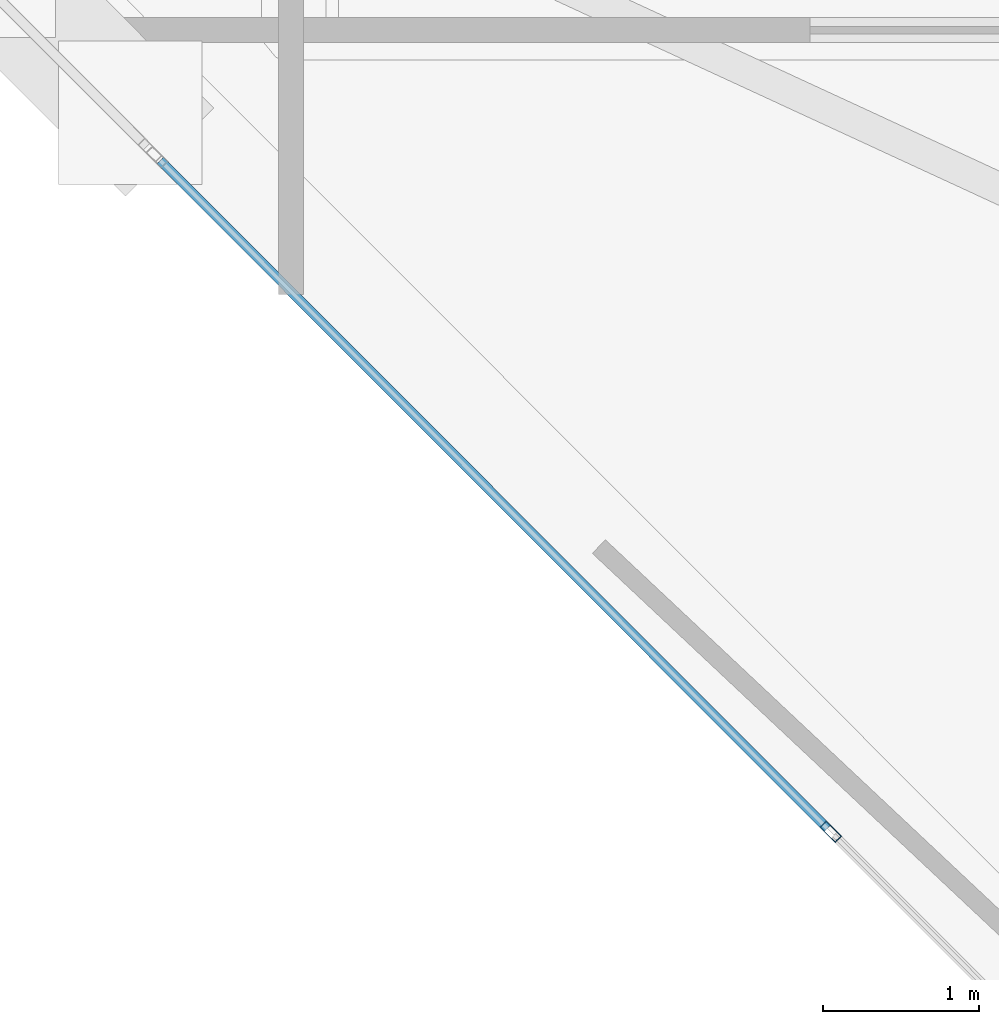
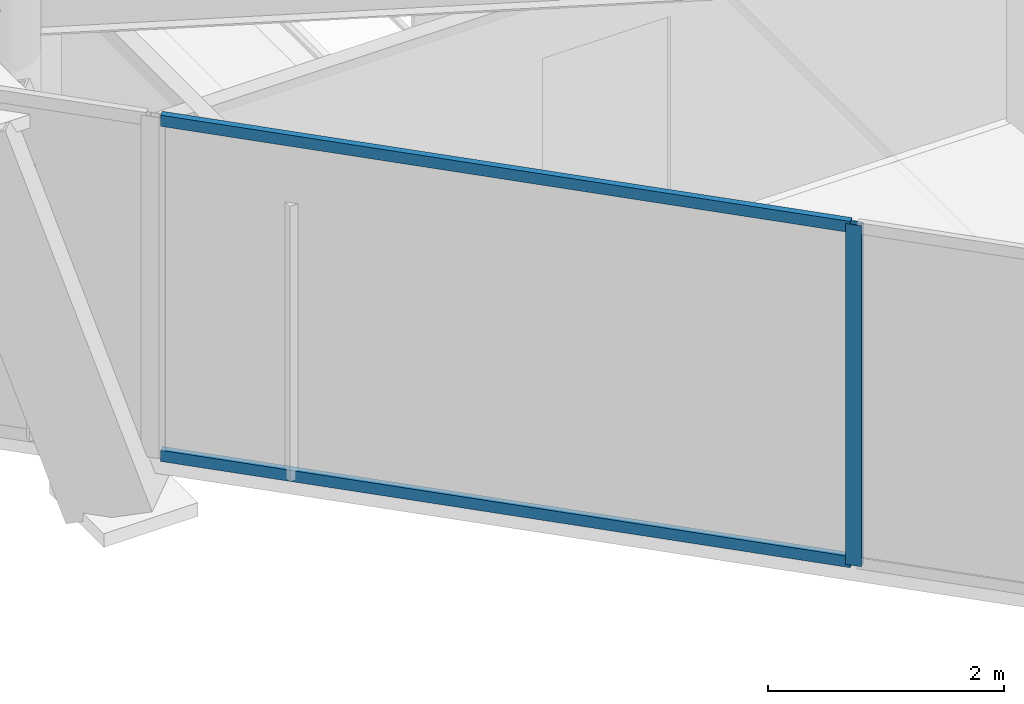
# One storey, part 2 of 19: 3 members, 1 element without a shape of its own.
"""IFC4 building model written with IfcOpenShell, lengths in metres."""

from ifc_helpers import new_model, si_unit, direction, frame, origin, origin_2d, place, context, subcontext, project, spatial, hollow_rectangle, extrude, material, layer, layer_set, material_profile, profile_set, type_object, element, aggregate, save


model = new_model("IFC4")

# Units and contexts
model_context = context("Model", 3, precision=1e-05, world=origin(), true_north=direction((0.0, 1.0)))
body_context = subcontext(model_context, "Body", "Model", "MODEL_VIEW")
ifc_project = project(units=[si_unit("LENGTHUNIT", "METRE"), si_unit("AREAUNIT", "SQUARE_METRE"), si_unit("VOLUMEUNIT", "CUBIC_METRE"), si_unit("PLANEANGLEUNIT", "RADIAN"), si_unit("MASSUNIT", "GRAM", prefix="KILO")], contexts=[model_context])

# Site, building, storey
site_placement = place(None, origin())
site = spatial("IfcSite", under=ifc_project, at=site_placement, CompositionType="ELEMENT")
building_placement = place(site_placement, origin())
building = spatial("IfcBuilding", under=site, at=building_placement, Name="Qianvela Tower", CompositionType="ELEMENT")
storey_placement = place(building_placement, frame((0.0, 0.0, 340.699951171875)))
storey = spatial("IfcBuildingStorey", under=building, at=storey_placement, Name="L88", CompositionType="ELEMENT", Elevation=340.699951171875)

# Curtain wall, members
ifc_material_1 = material(Name="Anodised Architectural Aluminium and Low-E Glass", Category="aluminium")
ifc_layer = layer(ifc_material_1, 0.14990234375)
ifc_layer_set = layer_set([ifc_layer], Name="Anodised Architectural Aluminium and Low-E Glass")
curtain_wall_type = type_object("IfcCurtainWallType", Name="CW-COLIV-Z78", PredefinedType="USERDEFINED", material=ifc_layer_set)
curtain_wall_placement = place(storey_placement, origin())
curtain_wall = element("IfcCurtainWall", 1, at=curtain_wall_placement, inside=storey, type_object=curtain_wall_type, Name="L88 CW-COLIV-Z78 Curtain Wall 04C", ObjectType="CURTAIN_WALL_SYSTEM", PredefinedType="USERDEFINED")
ifc_material_2 = material(Name="Anodised Architectural Aluminium 6063-T6", Category="aluminium")
ifc_material_profile_1 = material_profile(ifc_material_2, hollow_rectangle(XDim=0.06005859375, YDim=0.139892578125, WallThickness=0.00439453125, at=origin_2d()), Name="ALU-MULL-60x140")
ifc_profile_set_1 = profile_set([ifc_material_profile_1], Name="Anodised Architectural Aluminium 6063-T6")
member_type_1 = type_object("IfcMemberType", Name="CW-COLIV-Z78-MULL", PredefinedType="MULLION", material=ifc_profile_set_1)
member_1_placement = place(storey_placement, frame((33.6826171875, 10.952880859375, 0.0), z_axis=(0.0, 0.0, 1.0), x_axis=(0.707600110845, 0.706613107104, 0.0)))
member_1 = element("IfcMember", 2, at=member_1_placement, type_object=member_type_1, Name="CW-6 mullion 2", PredefinedType="MULLION", context=body_context, shape_type="SweptSolid", body=[
    extrude(hollow_rectangle(XDim=0.06005859375, YDim=0.139892578125, WallThickness=0.00439453125, at=origin_2d()), origin(), (0.0, 0.0, 1.0), 3.52001953125),
])
ifc_material_3 = material(Name="Anodised Architectural Aluminium 6063-T6", Category="aluminium")
ifc_material_profile_2 = material_profile(ifc_material_3, hollow_rectangle(XDim=0.06005859375, YDim=0.114990234375, WallThickness=0.00390625, at=origin_2d()), Name="ALU-TRAN-60x115")
ifc_profile_set_2 = profile_set([ifc_material_profile_2], Name="Anodised Architectural Aluminium 6063-T6")
member_type_2 = type_object("IfcMemberType", Name="CW-COLIV-Z78-TRAN", PredefinedType="USERDEFINED", material=ifc_profile_set_2)
member_2_placement = place(storey_placement, frame((29.393798828125, 15.247802734375, 0.030029296875), z_axis=(0.706621547677, -0.707591681945, 0.0), x_axis=(0.707591681945, 0.706621547677, 0.0)))
member_2 = element("IfcMember", 3, at=member_2_placement, type_object=member_type_2, Name="CW-6 transom 1.1", ObjectType="TRANSOM", PredefinedType="USERDEFINED", context=body_context, shape_type="SweptSolid", body=[
    extrude(hollow_rectangle(XDim=0.06005859375, YDim=0.114990234375, WallThickness=0.00390625, at=origin_2d()), origin(), (0.0, 0.0, 1.0), 6.039794921875),
])
member_3_placement = place(storey_placement, frame((29.393798828125, 15.247802734375, 3.489990234375), z_axis=(0.706621547677, -0.707591681945, 0.0), x_axis=(0.707591681945, 0.706621547677, 0.0)))
member_3 = element("IfcMember", 4, at=member_3_placement, type_object=member_type_2, Name="CW-6 transom 1.2", ObjectType="TRANSOM", PredefinedType="USERDEFINED", context=body_context, shape_type="SweptSolid", body=[
    extrude(hollow_rectangle(XDim=0.06005859375, YDim=0.114990234375, WallThickness=0.00390625, at=origin_2d()), origin(), (0.0, 0.0, 1.0), 6.039794921875),
])
aggregate(curtain_wall, [member_1, member_2, member_3])

save(model, "model.ifc")
